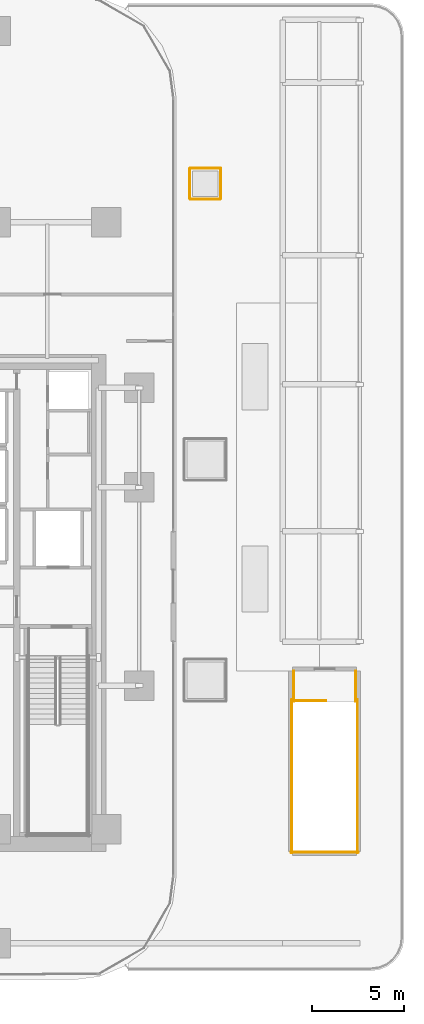
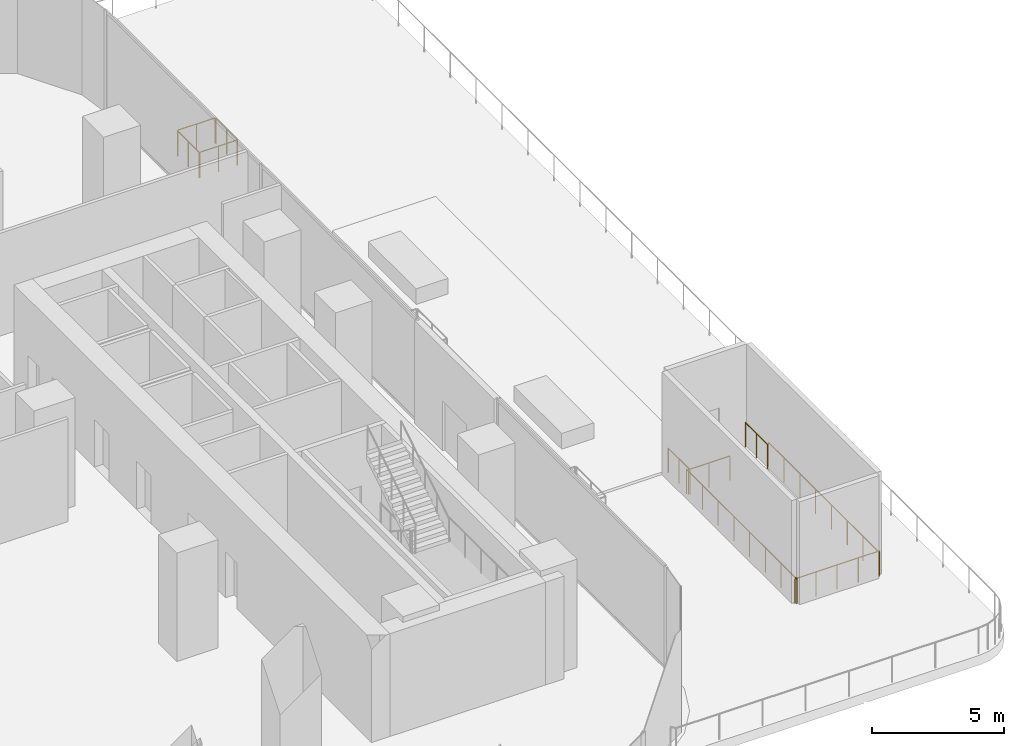
# One storey, part 21 of 21: 10 railings.
"""IFC4 building model written with IfcOpenShell, lengths in metres."""

from ifc_helpers import new_model, si_unit, direction, frame, origin, origin_2d, place, context, subcontext, project, spatial, circle, extrude, material, type_object, element, save


model = new_model("IFC4")

# Units and contexts
model_context = context("Model", 3, precision=1e-05, world=origin(), true_north=direction((0.0, 1.0)))
body_context = subcontext(model_context, "Body", "Model", "MODEL_VIEW")
ifc_project = project(units=[si_unit("LENGTHUNIT", "METRE"), si_unit("AREAUNIT", "SQUARE_METRE"), si_unit("VOLUMEUNIT", "CUBIC_METRE"), si_unit("PLANEANGLEUNIT", "RADIAN"), si_unit("MASSUNIT", "GRAM", prefix="KILO")], contexts=[model_context])

# Site, building, storey
site_placement = place(None, origin())
site = spatial("IfcSite", under=ifc_project, at=site_placement, CompositionType="ELEMENT")
building_placement = place(site_placement, origin())
building = spatial("IfcBuilding", under=site, at=building_placement, Name="Khairoan Windgate Tower", CompositionType="ELEMENT")
storey_placement = place(building_placement, frame((0.0, 0.0, 21.0)))
storey = spatial("IfcBuildingStorey", under=building, at=storey_placement, Name="L05", CompositionType="ELEMENT", Elevation=21.0)

# Railings
ifc_material_1 = material(Name="Anodised Bronze Aluminium 6063-T6", Category="aluminium")
railing_type_1 = type_object("IfcRailingType", Name="Aerodynamic Bronze-and-Glass Balustrade BAL-1200", PredefinedType="BALUSTRADE", material=ifc_material_1)
railing_1_placement = place(storey_placement, frame((24.989990234375, 15.659912109375, 0.0)))
element("IfcRailing", 1, at=railing_1_placement, inside=storey, type_object=railing_type_1, Name="Podium Skylight 06 Guardrail 1", PredefinedType="BALUSTRADE", context=body_context, shape_type="SweptSolid", body=[
    extrude(circle(Radius=0.02392578125, at=origin_2d()), frame((0.0, 0.0, 1.17578125), z_axis=(1.0, 0.0, 0.0), x_axis=(0.0, 1.0, 0.0)), (0.0, 0.0, 1.0), 1.6201171875),
    extrude(circle(Radius=0.02099609375, at=origin_2d()), origin(), (0.0, 0.0, 1.0), 1.15185546875),
    extrude(circle(Radius=0.02099609375, at=origin_2d()), frame((0.81005859375, 0.0, 0.0)), (0.0, 0.0, 1.0), 1.15185546875),
    extrude(circle(Radius=0.02099609375, at=origin_2d()), frame((1.6201171875, 0.0, 0.0)), (0.0, 0.0, 1.0), 1.15185546875),
])
railing_2_placement = place(storey_placement, frame((26.639892578125, 15.68994140625, 0.0)))
element("IfcRailing", 2, at=railing_2_placement, inside=storey, type_object=railing_type_1, Name="Podium Skylight 06 Guardrail 2", PredefinedType="BALUSTRADE", context=body_context, shape_type="SweptSolid", body=[
    extrude(circle(Radius=0.02392578125, at=origin_2d()), frame((0.0, 0.0, 1.17578125), z_axis=(0.0, 1.0, 0.0), x_axis=(-1.0, 0.0, 0.0)), (0.0, 0.0, 1.0), 1.6201171875),
    extrude(circle(Radius=0.02099609375, at=origin_2d()), origin(), (0.0, 0.0, 1.0), 1.15185546875),
    extrude(circle(Radius=0.02099609375, at=origin_2d()), frame((0.0, 0.81005859375, 0.0)), (0.0, 0.0, 1.0), 1.15185546875),
    extrude(circle(Radius=0.02099609375, at=origin_2d()), frame((0.0, 1.6201171875, 0.0)), (0.0, 0.0, 1.0), 1.15185546875),
])
railing_3_placement = place(storey_placement, frame((26.610107421875, 17.340087890625, 0.0)))
element("IfcRailing", 3, at=railing_3_placement, inside=storey, type_object=railing_type_1, Name="Podium Skylight 06 Guardrail 3", PredefinedType="BALUSTRADE", context=body_context, shape_type="SweptSolid", body=[
    extrude(circle(Radius=0.02392578125, at=origin_2d()), frame((0.0, 0.0, 1.17578125), z_axis=(-1.0, 0.0, 0.0), x_axis=(0.0, -1.0, 0.0)), (0.0, 0.0, 1.0), 1.6201171875),
    extrude(circle(Radius=0.02099609375, at=origin_2d()), origin(), (0.0, 0.0, 1.0), 1.15185546875),
    extrude(circle(Radius=0.02099609375, at=origin_2d()), frame((-0.81005859375, 0.0, 0.0)), (0.0, 0.0, 1.0), 1.15185546875),
    extrude(circle(Radius=0.02099609375, at=origin_2d()), frame((-1.6201171875, 0.0, 0.0)), (0.0, 0.0, 1.0), 1.15185546875),
])
railing_4_placement = place(storey_placement, frame((24.9599609375, 17.31005859375, 0.0)))
element("IfcRailing", 4, at=railing_4_placement, inside=storey, type_object=railing_type_1, Name="Podium Skylight 06 Guardrail 4", PredefinedType="BALUSTRADE", context=body_context, shape_type="SweptSolid", body=[
    extrude(circle(Radius=0.02392578125, at=origin_2d()), frame((0.0, 0.0, 1.17578125), z_axis=(0.0, -1.0, 0.0), x_axis=(1.0, 0.0, 0.0)), (0.0, 0.0, 1.0), 1.6201171875),
    extrude(circle(Radius=0.02099609375, at=origin_2d()), origin(), (0.0, 0.0, 1.0), 1.15185546875),
    extrude(circle(Radius=0.02099609375, at=origin_2d()), frame((0.0, -0.81005859375, 0.0)), (0.0, 0.0, 1.0), 1.15185546875),
    extrude(circle(Radius=0.02099609375, at=origin_2d()), frame((0.0, -1.6201171875, 0.0)), (0.0, 0.0, 1.0), 1.15185546875),
])
ifc_material_2 = material(Name="Steel S355", Category="steel")
railing_type_2 = type_object("IfcRailingType", Name="Stairwell Safety Guardrail SGR-1150", PredefinedType="GUARDRAIL", material=ifc_material_2)
railing_5_placement = place(storey_placement, frame((30.550048828125, -11.610107421875, 0.0)))
element("IfcRailing", 5, at=railing_5_placement, inside=storey, type_object=railing_type_2, Name="L05 ST3 top well guard 1", PredefinedType="GUARDRAIL", context=body_context, shape_type="SweptSolid", body=[
    extrude(circle(Radius=0.02392578125, at=origin_2d()), frame((0.0, 0.0, 1.1259765625), z_axis=(1.0, 0.0, 0.0), x_axis=(0.0, 1.0, 0.0)), (0.0, 0.0, 1.0), 1.81005859375),
    extrude(circle(Radius=0.02099609375, at=origin_2d()), origin(), (0.0, 0.0, 1.0), 1.101806640625),
    extrude(circle(Radius=0.02099609375, at=origin_2d()), frame((0.905029296875, 0.0, 0.0)), (0.0, 0.0, 1.0), 1.101806640625),
    extrude(circle(Radius=0.02099609375, at=origin_2d()), frame((1.81005859375, 0.0, 0.0)), (0.0, 0.0, 1.0), 1.101806640625),
])
for number, where, name in (
    (6, (30.5, -11.56005859375, 0.0), "L05 ST3 top well guard 2"),
    (7, (34.070068359375, -11.56005859375, 0.0), "L05 ST3 top well guard 3"),
):
    element("IfcRailing", number, at=place(storey_placement, frame(where)), inside=storey, type_object=railing_type_2, Name=name, PredefinedType="GUARDRAIL", context=body_context, shape_type="SweptSolid", body=[
        extrude(circle(Radius=0.02392578125, at=origin_2d()), frame((0.0, 0.0, 1.1259765625), z_axis=(0.0, -1.0, 0.0), x_axis=(1.0, 0.0, 0.0)), (0.0, 0.0, 1.0), 8.33984375),
        extrude(circle(Radius=0.02099609375, at=origin_2d()), origin(), (0.0, 0.0, 1.0), 1.101806640625),
        extrude(circle(Radius=0.02099609375, at=origin_2d()), frame((0.0, -1.19140625, 0.0)), (0.0, 0.0, 1.0), 1.101806640625),
        extrude(circle(Radius=0.02099609375, at=origin_2d()), frame((0.0, -2.3828125, 0.0)), (0.0, 0.0, 1.0), 1.101806640625),
        extrude(circle(Radius=0.02099609375, at=origin_2d()), frame((0.0, -3.57421875, 0.0)), (0.0, 0.0, 1.0), 1.101806640625),
        extrude(circle(Radius=0.02099609375, at=origin_2d()), frame((0.0, -4.765625, 0.0)), (0.0, 0.0, 1.0), 1.101806640625),
        extrude(circle(Radius=0.02099609375, at=origin_2d()), frame((0.0, -5.95703125, 0.0)), (0.0, 0.0, 1.0), 1.101806640625),
        extrude(circle(Radius=0.02099609375, at=origin_2d()), frame((0.0, -7.1484375, 0.0)), (0.0, 0.0, 1.0), 1.101806640625),
        extrude(circle(Radius=0.02099609375, at=origin_2d()), frame((0.0, -8.33984375, 0.0)), (0.0, 0.0, 1.0), 1.101806640625),
    ])
railing_6_placement = place(storey_placement, frame((30.449951171875, -19.85009765625, 0.0)))
element("IfcRailing", 8, at=railing_6_placement, inside=storey, type_object=railing_type_2, Name="L05 ST3 top well guard 4", PredefinedType="GUARDRAIL", context=body_context, shape_type="SweptSolid", body=[
    extrude(circle(Radius=0.02392578125, at=origin_2d()), frame((0.0, 0.0, 1.1259765625), z_axis=(1.0, 0.0, 0.0), x_axis=(0.0, 1.0, 0.0)), (0.0, 0.0, 1.0), 3.670166015625),
    extrude(circle(Radius=0.02099609375, at=origin_2d()), origin(), (0.0, 0.0, 1.0), 1.101806640625),
    extrude(circle(Radius=0.02099609375, at=origin_2d()), frame((0.91748046875, 0.0, 0.0)), (0.0, 0.0, 1.0), 1.101806640625),
    extrude(circle(Radius=0.02099609375, at=origin_2d()), frame((1.8349609375, 0.0, 0.0)), (0.0, 0.0, 1.0), 1.101806640625),
    extrude(circle(Radius=0.02099609375, at=origin_2d()), frame((2.752685546875, 0.0, 0.0)), (0.0, 0.0, 1.0), 1.101806640625),
    extrude(circle(Radius=0.02099609375, at=origin_2d()), frame((3.670166015625, 0.0, 0.0)), (0.0, 0.0, 1.0), 1.101806640625),
])
for number, where, name in (
    (9, (30.60009765625, -10.0, 0.0), "L05 ST3 top well guard 5"),
    (10, (33.969970703125, -10.0, 0.0), "L05 ST3 top well guard 6"),
):
    element("IfcRailing", number, at=place(storey_placement, frame(where)), inside=storey, type_object=railing_type_2, Name=name, PredefinedType="GUARDRAIL", context=body_context, shape_type="SweptSolid", body=[
        extrude(circle(Radius=0.02392578125, at=origin_2d()), frame((0.0, 0.0, 1.1259765625), z_axis=(0.0, -1.0, 0.0), x_axis=(1.0, 0.0, 0.0)), (0.0, 0.0, 1.0), 1.659912109375),
        extrude(circle(Radius=0.02099609375, at=origin_2d()), origin(), (0.0, 0.0, 1.0), 1.101806640625),
        extrude(circle(Radius=0.02099609375, at=origin_2d()), frame((0.0, -0.830078125, 0.0)), (0.0, 0.0, 1.0), 1.101806640625),
        extrude(circle(Radius=0.02099609375, at=origin_2d()), frame((0.0, -1.659912109375, 0.0)), (0.0, 0.0, 1.0), 1.101806640625),
    ])

save(model, "model.ifc")
